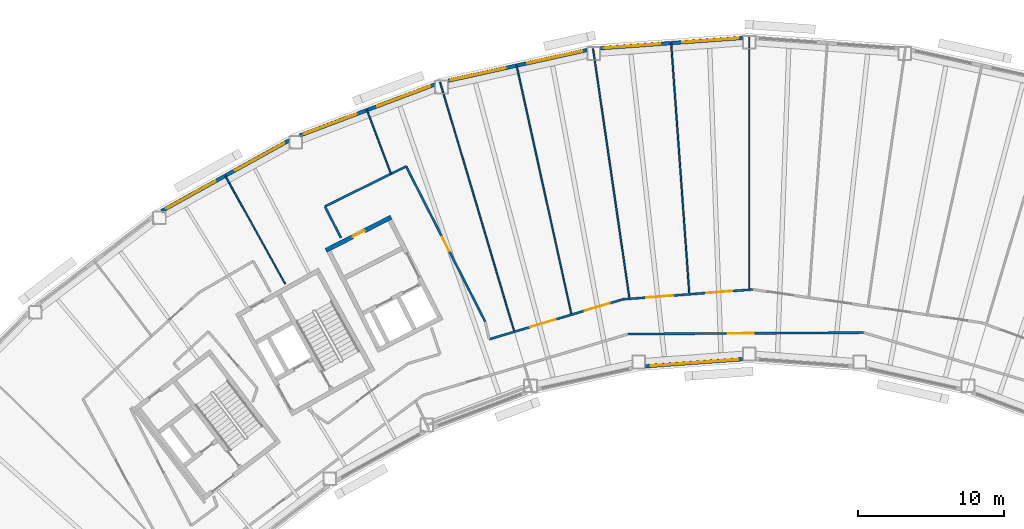
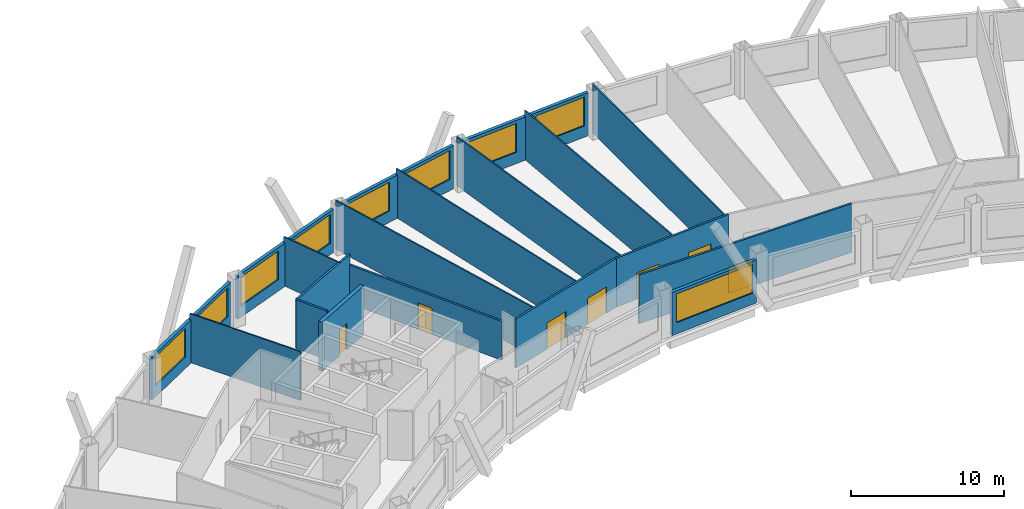
# One storey, part 7 of 13: 19 walls, 9 windows, 7 doors, 16 openings.
"""IFC4 building model written with IfcOpenShell, lengths in metres."""

import ifcopenshell
import ifcopenshell.guid

model = None  # the IFC model being written
_history = None  # IfcOwnerHistory: only IFC2X3 demands one
_inside = {}  # id of a spatial element -> (the spatial element, [elements in it])
_under = {}  # id of a project, library or spatial element -> (it, [spatial elements below it])
_declared = {}  # id of a project -> (the project, [libraries it declares])
_typed = {}  # id of a type object -> (the type object, [elements of that type])
_made_of = {}  # id of a material, layer set ... -> (it, [elements and type objects made of it])


def new_model(schema):
    """Start an empty IFC model of exactly this schema.

    Asked for "IFC4X3", IfcOpenShell would pick the latest addendum, in which some entities
    have other attributes; the version numbers below select the first issue.
    IFC2X3 requires an IfcOwnerHistory on every rooted entity: one is made here for all.
    """
    global model, _history
    if schema == "IFC4X3":
        model = ifcopenshell.file(schema_version=(4, 3, 0, 0))
    else:
        model = ifcopenshell.file(schema=schema)
    _inside.clear()
    _under.clear()
    _declared.clear()
    _typed.clear()
    _made_of.clear()
    _history = None
    if model.schema == "IFC2X3":
        org = make("IfcOrganization", Name="unknown")
        user = make(
            "IfcPersonAndOrganization",
            ThePerson=make("IfcPerson", FamilyName="unknown"),
            TheOrganization=org,
        )
        app = make(
            "IfcApplication",
            ApplicationDeveloper=org,
            Version="unknown",
            ApplicationFullName="unknown",
            ApplicationIdentifier="unknown",
        )
        _history = make(
            "IfcOwnerHistory",
            OwningUser=user,
            OwningApplication=app,
            ChangeAction="ADDED",
            CreationDate=0,
        )
    return model


def make(cls, **values):
    """One entity of the class cls with the attributes given. An attribute that is None is left unset."""
    return model.create_entity(
        cls, **{name: value for name, value in values.items() if value is not None}
    )


def rooted(cls, **values):
    """An entity with a GlobalId (a new one), such as an element, a storey or a relation."""
    return make(cls, GlobalId=ifcopenshell.guid.new(), OwnerHistory=_history, **values)


def si_unit(unit_type, name, prefix=None):
    """IfcSIUnit, for example si_unit("LENGTHUNIT", "METRE", prefix="MILLI")."""
    return make("IfcSIUnit", UnitType=unit_type, Prefix=prefix, Name=name)


def assignment(units):
    """IfcUnitAssignment: the units of a project."""
    return None if units is None else make("IfcUnitAssignment", Units=units)


def point(xyz):
    """IfcCartesianPoint."""
    return None if xyz is None else make("IfcCartesianPoint", Coordinates=xyz)


def direction(xyz):
    """IfcDirection."""
    return None if xyz is None else make("IfcDirection", DirectionRatios=xyz)


def frame(location, z_axis=None, x_axis=None):
    """IfcAxis2Placement3D, a coordinate frame: its origin and axes. An axis left out is left unset."""
    return make(
        "IfcAxis2Placement3D",
        Location=point(location),
        Axis=direction(z_axis),
        RefDirection=direction(x_axis),
    )


def frame_2d(location, x_axis=None):
    """IfcAxis2Placement2D, a coordinate frame in the plane: its origin and x axis."""
    return make(
        "IfcAxis2Placement2D", Location=point(location), RefDirection=direction(x_axis)
    )


def origin():
    """The frame at (0, 0, 0) with its axes left unset."""
    return frame((0.0, 0.0, 0.0))


def place(relative_to, where):
    """IfcLocalPlacement: puts the frame where relative to a parent placement (None: the world)."""
    return make(
        "IfcLocalPlacement", PlacementRelTo=relative_to, RelativePlacement=where
    )


def context(
    kind, dimensions, precision=None, world=None, true_north=None, identifier=None
):
    """IfcGeometricRepresentationContext, for example the 3D "Model" context."""
    return make(
        "IfcGeometricRepresentationContext",
        ContextIdentifier=identifier,
        ContextType=kind,
        CoordinateSpaceDimension=dimensions,
        Precision=precision,
        WorldCoordinateSystem=world,
        TrueNorth=true_north,
    )


def subcontext(parent, identifier, kind, view, scale=None):
    """IfcGeometricRepresentationSubContext, for example "Body" below "Model"."""
    return make(
        "IfcGeometricRepresentationSubContext",
        ContextIdentifier=identifier,
        ContextType=kind,
        ParentContext=parent,
        TargetScale=scale,
        TargetView=view,
    )


def project(units=None, contexts=None):
    """IfcProject with its units and contexts."""
    return rooted(
        "IfcProject",
        Name="project",
        RepresentationContexts=contexts,
        UnitsInContext=assignment(units),
    )


def spatial(cls, under=None, at=None, **own):
    """A site, building, storey or space (cls), placed at a placement, below another one or the project."""
    s = rooted(cls, ObjectPlacement=at, **own)
    if under is not None:
        _under.setdefault(under.id(), (under, []))[1].append(s)
    return s


def profile(cls, at=None, kind="AREA", **sizes):
    """A parametric profile (cls). Its sizes go by their IFC names, for example OverallWidth=200.0."""
    return make(cls, ProfileType=kind, Position=at, **sizes)


def rectangle(**sizes):
    """IfcRectangleProfileDef."""
    return profile("IfcRectangleProfileDef", **sizes)


def extrude(swept, where, along, depth):
    """IfcExtrudedAreaSolid: the profile swept, set in the frame where, extruded along a direction by depth."""
    return make(
        "IfcExtrudedAreaSolid",
        SweptArea=swept,
        Position=where,
        ExtrudedDirection=direction(along),
        Depth=depth,
    )


def shape(context_of_items, identifier, shape_type, items):
    """IfcShapeRepresentation: the items that make up one representation, for example the "Body"."""
    return make(
        "IfcShapeRepresentation",
        ContextOfItems=context_of_items,
        RepresentationIdentifier=identifier,
        RepresentationType=shape_type,
        Items=items,
    )


def material(Name=None, Category=None):
    """IfcMaterial."""
    return make("IfcMaterial", Name=Name, Category=Category)


def layer(
    of_material, thickness, ventilated=None, Name=None, Category=None, Priority=None
):
    """IfcMaterialLayer: one layer of a wall or slab, of a material (None: an air gap)."""
    return make(
        "IfcMaterialLayer",
        Material=of_material,
        LayerThickness=thickness,
        IsVentilated=ventilated,
        Name=Name,
        Category=Category,
        Priority=Priority,
    )


def layer_set(layers, Name=None):
    """IfcMaterialLayerSet."""
    return make("IfcMaterialLayerSet", MaterialLayers=layers, LayerSetName=Name)


def made_of(thing, what):
    """Note that an element or type object is made of a material, layer set ...; save() writes the relation."""
    if what is not None:
        _made_of.setdefault(what.id(), (what, []))[1].append(thing)
    return thing


def type_object(cls, material=None, **own):
    """A type object (cls), such as IfcWallType, which elements share."""
    return made_of(rooted(cls, **own), material)


def element(
    cls,
    number,
    at=None,
    inside=None,
    cuts=None,
    type_object=None,
    material=None,
    context=None,
    identifier="Body",
    shape_type=None,
    held_by="IfcProductDefinitionShape",
    body=None,
    shapes=None,
    **own,
):
    """One element of the class cls, such as IfcWall. Its Tag is "e" and its number.

    at: its placement. inside: the storey or other place that contains it. cuts: it is an
    opening in that element (IfcRelVoidsElement). A single representation is given by context,
    identifier, shape_type and body (its items); several are given by shapes. held_by: the class
    of the entity that holds the representations. save() writes the other relations.
    """
    e = rooted(cls, Tag="e%d" % number, ObjectPlacement=at, **own)
    if body is not None:
        shapes = [shape(context, identifier, shape_type, body)]
    if shapes is not None:
        e.Representation = make(held_by, Representations=shapes)
    if inside is not None:
        _inside.setdefault(inside.id(), (inside, []))[1].append(e)
    if cuts is not None:
        rooted(
            "IfcRelVoidsElement", RelatingBuildingElement=cuts, RelatedOpeningElement=e
        )
    if type_object is not None:
        _typed.setdefault(type_object.id(), (type_object, []))[1].append(e)
    return made_of(e, material)


def fill(opening, filler):
    """IfcRelFillsElement: the door or window that sits in an opening."""
    return rooted(
        "IfcRelFillsElement",
        RelatingOpeningElement=opening,
        RelatedBuildingElement=filler,
    )


def aggregate(whole, parts):
    """IfcRelAggregates: a whole, such as a stair, and the parts it consists of."""
    return rooted("IfcRelAggregates", RelatingObject=whole, RelatedObjects=parts)


def save(model, path):
    """Write the relations noted so far, then the file.

    IfcRelAggregates (storeys below a building ...), IfcRelContainedInSpatialStructure (elements
    in a storey), IfcRelDefinesByType, IfcRelAssociatesMaterial and IfcRelDeclares: one each for
    every whole, place, type object, material and project.
    """
    for whole, parts in _under.values():
        aggregate(whole, parts)
    for where, things in _inside.values():
        rooted(
            "IfcRelContainedInSpatialStructure",
            RelatedElements=things,
            RelatingStructure=where,
        )
    for kind, things in _typed.values():
        rooted("IfcRelDefinesByType", RelatedObjects=things, RelatingType=kind)
    for what, things in _made_of.values():
        rooted("IfcRelAssociatesMaterial", RelatedObjects=things, RelatingMaterial=what)
    for by, libraries in _declared.values():
        rooted("IfcRelDeclares", RelatingContext=by, RelatedDefinitions=libraries)
    model.write(path)


model = new_model("IFC4")

# Units and contexts
model_context = context("Model", 3, precision=1e-05, world=origin(), true_north=direction((0.0, 1.0)))
body_context = subcontext(model_context, "Body", "Model", "MODEL_VIEW")
ifc_project = project(units=[si_unit("LENGTHUNIT", "METRE"), si_unit("AREAUNIT", "SQUARE_METRE"), si_unit("VOLUMEUNIT", "CUBIC_METRE"), si_unit("PLANEANGLEUNIT", "RADIAN"), si_unit("MASSUNIT", "GRAM", prefix="KILO")], contexts=[model_context])

# Site, building, storey
site_placement = place(None, origin())
site = spatial("IfcSite", under=ifc_project, at=site_placement, CompositionType="ELEMENT")
building_placement = place(site_placement, origin())
building = spatial("IfcBuilding", under=site, at=building_placement, Name="Tuul Gate Civic Tower", CompositionType="ELEMENT")
storey_placement = place(building_placement, frame((0.0, 0.0, 188.89990234375)))
storey = spatial("IfcBuildingStorey", under=building, at=storey_placement, Name="Level 43", CompositionType="ELEMENT", Elevation=188.89990234375)

# Wall, openings, doors
ifc_material_1 = material(Name="Gypsum board partition")
ifc_layer_1 = layer(ifc_material_1, 0.14990234375)
ifc_layer_set_1 = layer_set([ifc_layer_1], Name="Gypsum board partition")
wall_type_1 = type_object("IfcWallType", Name="Corridor wall P150", PredefinedType="PARTITIONING", material=ifc_layer_set_1)
wall_1_placement = place(storey_placement, frame((-7.660888671875, -3.9951171875, 0.0), z_axis=(0.0, 0.0, 1.0), x_axis=(0.997138593057, 0.075595146913, 0.0)))
wall_1 = element("IfcWall", 1, at=wall_1_placement, inside=storey, type_object=wall_type_1, Name="p034", PredefinedType="PARTITIONING", context=body_context, shape_type="SweptSolid", body=[
    extrude(rectangle(XDim=8.9169921875, YDim=0.14990234375, at=frame_2d((4.45849609375, 0.0))), origin(), (0.0, 0.0, 1.0), 3.900146484375),
])
opening_1_placement = place(wall_1_placement, frame((5.71875, 0.0, 0.0)))
opening_1 = element("IfcOpeningElement", 2, at=opening_1_placement, cuts=wall_1, Name="Opening O-D10", PredefinedType="OPENING", context=body_context, shape_type="SweptSolid", body=[
    extrude(rectangle(XDim=1.800048828125, YDim=2.10009765625, at=frame_2d((0.89990234375, 1.050048828125))), frame((0.0, 0.0849609375, 0.0), z_axis=(0.0, -1.0, 0.0), x_axis=(1.0, 0.0, 0.0)), (0.0, 0.0, 1.0), 0.169921875),
])
opening_2_placement = place(wall_1_placement, frame((1.60595703125, 0.0, 0.0)))
opening_2 = element("IfcOpeningElement", 3, at=opening_2_placement, cuts=wall_1, Name="Opening O-D11", PredefinedType="OPENING", context=body_context, shape_type="SweptSolid", body=[
    extrude(rectangle(XDim=1.800048828125, YDim=2.10009765625, at=frame_2d((0.89990234375, 1.050048828125))), frame((0.0, 0.0849609375, 0.0), z_axis=(0.0, -1.0, 0.0), x_axis=(1.0, 0.0, 0.0)), (0.0, 0.0, 1.0), 0.169921875),
])
ifc_material_2 = material(Name="Timber door leaf, double", Category="wood")
door_type_1 = type_object("IfcDoorType", Name="Door D18", OperationType="DOUBLE_DOOR_SINGLE_SWING", PredefinedType="DOOR", material=ifc_material_2)
door_1_placement = place(opening_1_placement, origin())
door_1 = element("IfcDoor", 4, at=door_1_placement, inside=storey, type_object=door_type_1, Name="Door O-D10", OperationType="DOUBLE_DOOR_SINGLE_SWING", OverallHeight=2.10009765625, OverallWidth=1.800048828125, PredefinedType="DOOR", context=body_context, shape_type="SweptSolid", body=[
    extrude(rectangle(XDim=1.800048828125, YDim=2.10009765625, at=frame_2d((0.89990234375, 1.050048828125))), frame((0.0, 0.02490234375, 0.0), z_axis=(0.0, -1.0, 0.0), x_axis=(1.0, 0.0, 0.0)), (0.0, 0.0, 1.0), 0.050048828125),
])
fill(opening_1, door_1)
door_2_placement = place(opening_2_placement, origin())
door_2 = element("IfcDoor", 5, at=door_2_placement, inside=storey, type_object=door_type_1, Name="Door O-D11", OperationType="DOUBLE_DOOR_SINGLE_SWING", OverallHeight=2.10009765625, OverallWidth=1.800048828125, PredefinedType="DOOR", context=body_context, shape_type="SweptSolid", body=[
    extrude(rectangle(XDim=1.800048828125, YDim=2.10009765625, at=frame_2d((0.89990234375, 1.050048828125))), frame((0.0, 0.02490234375, 0.0), z_axis=(0.0, -1.0, 0.0), x_axis=(1.0, 0.0, 0.0)), (0.0, 0.0, 1.0), 0.050048828125),
])
fill(opening_2, door_2)

wall_2_placement = place(storey_placement, frame((-16.8076171875, -6.728515625, 0.0), z_axis=(0.0, 0.0, 1.0), x_axis=(0.958123538427, 0.286355173013, 0.0)))
wall_2 = element("IfcWall", 6, at=wall_2_placement, inside=storey, type_object=wall_type_1, Name="p039", PredefinedType="PARTITIONING", context=body_context, shape_type="SweptSolid", body=[
    extrude(rectangle(XDim=9.54541015625, YDim=0.14990234375, at=frame_2d((4.772705078125, 0.0))), origin(), (0.0, 0.0, 1.0), 3.900146484375),
])
opening_3_placement = place(wall_2_placement, frame((6.807861328125, 0.0, 0.0)))
opening_3 = element("IfcOpeningElement", 7, at=opening_3_placement, cuts=wall_2, Name="Opening O-D12", PredefinedType="OPENING", context=body_context, shape_type="SweptSolid", body=[
    extrude(rectangle(XDim=1.800048828125, YDim=2.10009765625, at=frame_2d((0.89990234375, 1.050048828125))), frame((0.0, 0.0849609375, 0.0), z_axis=(0.0, -1.0, 0.0), x_axis=(1.0, 0.0, 0.0)), (0.0, 0.0, 1.0), 0.169921875),
])
opening_4_placement = place(wall_2_placement, frame((2.92724609375, 0.0, 0.0)))
opening_4 = element("IfcOpeningElement", 8, at=opening_4_placement, cuts=wall_2, Name="Opening O-D13", PredefinedType="OPENING", context=body_context, shape_type="SweptSolid", body=[
    extrude(rectangle(XDim=1.800048828125, YDim=2.10009765625, at=frame_2d((0.89990234375, 1.050048828125))), frame((0.0, 0.0849609375, 0.0), z_axis=(0.0, -1.0, 0.0), x_axis=(1.0, 0.0, 0.0)), (0.0, 0.0, 1.0), 0.169921875),
])
door_3_placement = place(opening_3_placement, origin())
door_3 = element("IfcDoor", 9, at=door_3_placement, inside=storey, type_object=door_type_1, Name="Door O-D12", OperationType="DOUBLE_DOOR_SINGLE_SWING", OverallHeight=2.10009765625, OverallWidth=1.800048828125, PredefinedType="DOOR", context=body_context, shape_type="SweptSolid", body=[
    extrude(rectangle(XDim=1.800048828125, YDim=2.10009765625, at=frame_2d((0.89990234375, 1.050048828125))), frame((0.0, 0.02490234375, 0.0), z_axis=(0.0, -1.0, 0.0), x_axis=(1.0, 0.0, 0.0)), (0.0, 0.0, 1.0), 0.050048828125),
])
fill(opening_3, door_3)
door_4_placement = place(opening_4_placement, origin())
door_4 = element("IfcDoor", 10, at=door_4_placement, inside=storey, type_object=door_type_1, Name="Door O-D13", OperationType="DOUBLE_DOOR_SINGLE_SWING", OverallHeight=2.10009765625, OverallWidth=1.800048828125, PredefinedType="DOOR", context=body_context, shape_type="SweptSolid", body=[
    extrude(rectangle(XDim=1.800048828125, YDim=2.10009765625, at=frame_2d((0.89990234375, 1.050048828125))), frame((0.0, 0.02490234375, 0.0), z_axis=(0.0, -1.0, 0.0), x_axis=(1.0, 0.0, 0.0)), (0.0, 0.0, 1.0), 0.050048828125),
])
fill(opening_4, door_4)

# Walls
wall_3_placement = place(storey_placement, frame((-28.07470703125, 2.368408203125, 0.0), z_axis=(0.0, 0.0, 1.0), x_axis=(0.896894192513, 0.442245189275, 0.0)))
element("IfcWall", 11, at=wall_3_placement, inside=storey, type_object=wall_type_1, Name="p045", PredefinedType="PARTITIONING", context=body_context, shape_type="SweptSolid", body=[
    extrude(rectangle(XDim=6.199951171875, YDim=0.14990234375, at=frame_2d((3.10009765625, 0.0))), origin(), (0.0, 0.0, 1.0), 3.900146484375),
])
wall_4_placement = place(storey_placement, frame((-28.07470703125, 2.368408203125, 0.0), z_axis=(0.0, 0.0, 1.0), x_axis=(0.454233054818, -0.890882894611, 0.0)))
element("IfcWall", 12, at=wall_4_placement, inside=storey, type_object=wall_type_1, Name="p047", PredefinedType="PARTITIONING", context=body_context, shape_type="SweptSolid", body=[
    extrude(rectangle(XDim=2.416015625, YDim=0.14990234375, at=frame_2d((1.2080078125, 0.0))), origin(), (0.0, 0.0, 1.0), 3.900146484375),
])

# Wall, opening, door
wall_5_placement = place(storey_placement, frame((-7.30419921875, -6.375, 0.0), z_axis=(0.0, 0.0, 1.0), x_axis=(0.999981363616, 0.006105114296, 0.0)))
wall_5 = element("IfcWall", 13, at=wall_5_placement, inside=storey, type_object=wall_type_1, Name="p063", PredefinedType="PARTITIONING", context=body_context, shape_type="SweptSolid", body=[
    extrude(rectangle(XDim=16.11572265625, YDim=0.14990234375, at=frame_2d((8.057861328125, 0.0))), origin(), (0.0, 0.0, 1.0), 3.900146484375),
])
opening_5_placement = place(wall_5_placement, frame((6.80810546875, 0.0, 0.0)))
opening_5 = element("IfcOpeningElement", 14, at=opening_5_placement, cuts=wall_5, Name="Opening O-D19", PredefinedType="OPENING", context=body_context, shape_type="SweptSolid", body=[
    extrude(rectangle(XDim=1.800048828125, YDim=2.10009765625, at=frame_2d((0.89990234375, 1.050048828125))), frame((0.0, 0.0849609375, 0.0), z_axis=(0.0, -1.0, 0.0), x_axis=(1.0, 0.0, 0.0)), (0.0, 0.0, 1.0), 0.169921875),
])
door_5_placement = place(opening_5_placement, frame((1.800048828125, 0.0, 0.0), z_axis=(0.0, 0.0, 1.0), x_axis=(-1.0, 0.0, 0.0)))
door_5 = element("IfcDoor", 15, at=door_5_placement, inside=storey, type_object=door_type_1, Name="Door O-D19", OperationType="DOUBLE_DOOR_SINGLE_SWING", OverallHeight=2.10009765625, OverallWidth=1.800048828125, PredefinedType="DOOR", context=body_context, shape_type="SweptSolid", body=[
    extrude(rectangle(XDim=1.800048828125, YDim=2.10009765625, at=frame_2d((0.900146484375, 1.050048828125))), frame((0.0, 0.02490234375, 0.0), z_axis=(0.0, -1.0, 0.0), x_axis=(1.0, 0.0, 0.0)), (0.0, 0.0, 1.0), 0.050048828125),
])
fill(opening_5, door_5)

ifc_material_3 = material(Name="Gypsum board partition")
ifc_layer_2 = layer(ifc_material_3, 0.14990234375)
ifc_layer_set_2 = layer_set([ifc_layer_2], Name="Gypsum board partition")
wall_type_2 = type_object("IfcWallType", Name="Corridor wall P150 3100 HIGH", PredefinedType="PARTITIONING", material=ifc_layer_set_2)
wall_6_placement = place(storey_placement, frame((-22.51318359375, 5.110107421875, 0.0), z_axis=(0.0, 0.0, 1.0), x_axis=(0.454006967755, -0.890998133124, 0.0)))
wall_6 = element("IfcWall", 16, at=wall_6_placement, inside=storey, type_object=wall_type_2, Name="p044", PredefinedType="PARTITIONING", context=body_context, shape_type="SweptSolid", body=[
    extrude(rectangle(XDim=11.9375, YDim=0.14990234375, at=frame_2d((5.96875, 0.0))), origin(), (0.0, 0.0, 1.0), 3.10009765625),
])
opening_6_placement = place(wall_6_placement, frame((5.418701171875, 0.0, 0.0)))
opening_6 = element("IfcOpeningElement", 17, at=opening_6_placement, cuts=wall_6, Name="Opening O-D14", PredefinedType="OPENING", context=body_context, shape_type="SweptSolid", body=[
    extrude(rectangle(XDim=1.10009765625, YDim=2.10009765625, at=frame_2d((0.550048828125, 1.050048828125))), frame((0.0, 0.0849609375, 0.0), z_axis=(0.0, -1.0, 0.0), x_axis=(1.0, 0.0, 0.0)), (0.0, 0.0, 1.0), 0.169921875),
])
ifc_material_4 = material(Name="Timber door leaf", Category="wood")
door_type_2 = type_object("IfcDoorType", Name="Door D11", OperationType="NOTDEFINED", PredefinedType="DOOR", material=ifc_material_4)
door_6_placement = place(opening_6_placement, origin())
door_6 = element("IfcDoor", 18, at=door_6_placement, inside=storey, type_object=door_type_2, Name="Door O-D14", OperationType="SINGLE_SWING_RIGHT", OverallHeight=2.10009765625, OverallWidth=1.10009765625, PredefinedType="DOOR", context=body_context, shape_type="SweptSolid", body=[
    extrude(rectangle(XDim=1.10009765625, YDim=2.10009765625, at=frame_2d((0.550048828125, 1.050048828125))), frame((0.0, 0.02490234375, 0.0), z_axis=(0.0, -1.0, 0.0), x_axis=(1.0, 0.0, 0.0)), (0.0, 0.0, 1.0), 0.050048828125),
])
fill(opening_6, door_6)

# Wall, openings, windows
ifc_material_5 = material(Name="Precast concrete C40/50", Category="concrete")
ifc_layer_3 = layer(ifc_material_5, 0.25)
ifc_layer_set_3 = layer_set([ifc_layer_3], Name="Precast concrete C40/50")
wall_type_3 = type_object("IfcWallType", Name="External wall", PredefinedType="STANDARD", material=ifc_layer_set_3)
wall_7_placement = place(storey_placement, frame((0.5400390625, 13.9091796875, 0.0), z_axis=(0.0, 0.0, 1.0), x_axis=(-0.997386439479, -0.072251576758, 0.0)))
wall_7 = element("IfcWall", 19, at=wall_7_placement, inside=storey, type_object=wall_type_3, Name="External wall", PredefinedType="STANDARD", context=body_context, shape_type="SweptSolid", body=[
    extrude(rectangle(XDim=9.775634765625, YDim=0.25, at=frame_2d((4.8876953125, 0.0))), origin(), (0.0, 0.0, 1.0), 3.4501953125),
])
opening_7_placement = place(wall_7_placement, frame((0.300537109375, 0.0, 0.89990234375)))
opening_7 = element("IfcOpeningElement", 20, at=opening_7_placement, cuts=wall_7, Name="Opening W22", PredefinedType="OPENING", context=body_context, shape_type="SweptSolid", body=[
    extrude(rectangle(XDim=3.85009765625, YDim=2.300048828125, at=frame_2d((1.925048828125, 1.14990234375))), frame((0.0, 0.135009765625, 0.0), z_axis=(0.0, -1.0, 0.0), x_axis=(1.0, 0.0, 0.0)), (0.0, 0.0, 1.0), 0.27001953125),
])
opening_8_placement = place(wall_7_placement, frame((5.672119140625, 0.0, 0.89990234375)))
opening_8 = element("IfcOpeningElement", 21, at=opening_8_placement, cuts=wall_7, Name="Opening W22", PredefinedType="OPENING", context=body_context, shape_type="SweptSolid", body=[
    extrude(rectangle(XDim=3.85009765625, YDim=2.300048828125, at=frame_2d((1.925048828125, 1.14990234375))), frame((0.0, 0.135009765625, 0.0), z_axis=(0.0, -1.0, 0.0), x_axis=(1.0, 0.0, 0.0)), (0.0, 0.0, 1.0), 0.27001953125),
])
ifc_material_6 = material(Name="Glass", Category="glass")
window_type_1 = type_object("IfcWindowType", Name="Window W22 3850 x 2300", PartitioningType="SINGLE_PANEL", PredefinedType="WINDOW", material=ifc_material_6)
window_1_placement = place(opening_7_placement, origin())
window_1 = element("IfcWindow", 22, at=window_1_placement, inside=storey, type_object=window_type_1, Name="Window", OverallHeight=2.300048828125, OverallWidth=3.85009765625, PartitioningType="SINGLE_PANEL", PredefinedType="WINDOW", context=body_context, shape_type="SweptSolid", body=[
    extrude(rectangle(XDim=3.85009765625, YDim=2.300048828125, at=frame_2d((1.925048828125, 1.14990234375))), frame((0.0, 0.030029296875, 0.0), z_axis=(0.0, -1.0, 0.0), x_axis=(1.0, 0.0, 0.0)), (0.0, 0.0, 1.0), 0.06005859375),
])
fill(opening_7, window_1)
window_2_placement = place(opening_8_placement, origin())
window_2 = element("IfcWindow", 23, at=window_2_placement, inside=storey, type_object=window_type_1, Name="Window", OverallHeight=2.300048828125, OverallWidth=3.85009765625, PartitioningType="SINGLE_PANEL", PredefinedType="WINDOW", context=body_context, shape_type="SweptSolid", body=[
    extrude(rectangle(XDim=3.85009765625, YDim=2.300048828125, at=frame_2d((1.925048828125, 1.14990234375))), frame((0.0, 0.030029296875, 0.0), z_axis=(0.0, -1.0, 0.0), x_axis=(1.0, 0.0, 0.0)), (0.0, 0.0, 1.0), 0.06005859375),
])
fill(opening_8, window_2)

wall_8_placement = place(storey_placement, frame((-10.110107421875, 13.078125, 0.0), z_axis=(0.0, 0.0, 1.0), x_axis=(-0.976559525993, -0.215247513789, 0.0)))
wall_8 = element("IfcWall", 24, at=wall_8_placement, inside=storey, type_object=wall_type_3, Name="External wall", PredefinedType="STANDARD", context=body_context, shape_type="SweptSolid", body=[
    extrude(rectangle(XDim=9.755615234375, YDim=0.25, at=frame_2d((4.8779296875, 0.0))), origin(), (0.0, 0.0, 1.0), 3.4501953125),
])
opening_9_placement = place(wall_8_placement, frame((0.338623046875, 0.0, 0.89990234375)))
opening_9 = element("IfcOpeningElement", 25, at=opening_9_placement, cuts=wall_8, Name="Opening W22", PredefinedType="OPENING", context=body_context, shape_type="SweptSolid", body=[
    extrude(rectangle(XDim=3.85009765625, YDim=2.300048828125, at=frame_2d((1.925048828125, 1.14990234375))), frame((0.0, 0.135009765625, 0.0), z_axis=(0.0, -1.0, 0.0), x_axis=(1.0, 0.0, 0.0)), (0.0, 0.0, 1.0), 0.27001953125),
])
opening_10_placement = place(wall_8_placement, frame((5.70947265625, 0.0, 0.89990234375)))
opening_10 = element("IfcOpeningElement", 26, at=opening_10_placement, cuts=wall_8, Name="Opening W22", PredefinedType="OPENING", context=body_context, shape_type="SweptSolid", body=[
    extrude(rectangle(XDim=3.85009765625, YDim=2.300048828125, at=frame_2d((1.925048828125, 1.14990234375))), frame((0.0, 0.135009765625, 0.0), z_axis=(0.0, -1.0, 0.0), x_axis=(1.0, 0.0, 0.0)), (0.0, 0.0, 1.0), 0.27001953125),
])
window_3_placement = place(opening_9_placement, origin())
window_3 = element("IfcWindow", 27, at=window_3_placement, inside=storey, type_object=window_type_1, Name="Window", OverallHeight=2.300048828125, OverallWidth=3.85009765625, PartitioningType="SINGLE_PANEL", PredefinedType="WINDOW", context=body_context, shape_type="SweptSolid", body=[
    extrude(rectangle(XDim=3.85009765625, YDim=2.300048828125, at=frame_2d((1.925048828125, 1.14990234375))), frame((0.0, 0.030029296875, 0.0), z_axis=(0.0, -1.0, 0.0), x_axis=(1.0, 0.0, 0.0)), (0.0, 0.0, 1.0), 0.06005859375),
])
fill(opening_9, window_3)
window_4_placement = place(opening_10_placement, origin())
window_4 = element("IfcWindow", 28, at=window_4_placement, inside=storey, type_object=window_type_1, Name="Window", OverallHeight=2.300048828125, OverallWidth=3.85009765625, PartitioningType="SINGLE_PANEL", PredefinedType="WINDOW", context=body_context, shape_type="SweptSolid", body=[
    extrude(rectangle(XDim=3.85009765625, YDim=2.300048828125, at=frame_2d((1.925048828125, 1.14990234375))), frame((0.0, 0.030029296875, 0.0), z_axis=(0.0, -1.0, 0.0), x_axis=(1.0, 0.0, 0.0)), (0.0, 0.0, 1.0), 0.06005859375),
])
fill(opening_10, window_4)

wall_9_placement = place(storey_placement, frame((-20.537109375, 10.7236328125, 0.0), z_axis=(0.0, 0.0, 1.0), x_axis=(-0.935342915264, -0.353742322694, 0.0)))
wall_9 = element("IfcWall", 29, at=wall_9_placement, inside=storey, type_object=wall_type_3, Name="External wall", PredefinedType="STANDARD", context=body_context, shape_type="SweptSolid", body=[
    extrude(rectangle(XDim=9.904541015625, YDim=0.25, at=frame_2d((4.9521484375, 0.0))), origin(), (0.0, 0.0, 1.0), 3.4501953125),
])
opening_11_placement = place(wall_9_placement, frame((0.369140625, 0.0, 0.89990234375)))
opening_11 = element("IfcOpeningElement", 30, at=opening_11_placement, cuts=wall_9, Name="Opening W22", PredefinedType="OPENING", context=body_context, shape_type="SweptSolid", body=[
    extrude(rectangle(XDim=3.85009765625, YDim=2.300048828125, at=frame_2d((1.925048828125, 1.14990234375))), frame((0.0, 0.135009765625, 0.0), z_axis=(0.0, -1.0, 0.0), x_axis=(1.0, 0.0, 0.0)), (0.0, 0.0, 1.0), 0.27001953125),
])
opening_12_placement = place(wall_9_placement, frame((5.740478515625, 0.0, 0.89990234375)))
opening_12 = element("IfcOpeningElement", 31, at=opening_12_placement, cuts=wall_9, Name="Opening W22", PredefinedType="OPENING", context=body_context, shape_type="SweptSolid", body=[
    extrude(rectangle(XDim=3.85009765625, YDim=2.300048828125, at=frame_2d((1.925048828125, 1.14990234375))), frame((0.0, 0.135009765625, 0.0), z_axis=(0.0, -1.0, 0.0), x_axis=(1.0, 0.0, 0.0)), (0.0, 0.0, 1.0), 0.27001953125),
])
window_5_placement = place(opening_11_placement, origin())
window_5 = element("IfcWindow", 32, at=window_5_placement, inside=storey, type_object=window_type_1, Name="Window", OverallHeight=2.300048828125, OverallWidth=3.85009765625, PartitioningType="SINGLE_PANEL", PredefinedType="WINDOW", context=body_context, shape_type="SweptSolid", body=[
    extrude(rectangle(XDim=3.85009765625, YDim=2.300048828125, at=frame_2d((1.925048828125, 1.14990234375))), frame((0.0, 0.030029296875, 0.0), z_axis=(0.0, -1.0, 0.0), x_axis=(1.0, 0.0, 0.0)), (0.0, 0.0, 1.0), 0.06005859375),
])
fill(opening_11, window_5)
window_6_placement = place(opening_12_placement, origin())
window_6 = element("IfcWindow", 33, at=window_6_placement, inside=storey, type_object=window_type_1, Name="Window", OverallHeight=2.300048828125, OverallWidth=3.85009765625, PartitioningType="SINGLE_PANEL", PredefinedType="WINDOW", context=body_context, shape_type="SweptSolid", body=[
    extrude(rectangle(XDim=3.85009765625, YDim=2.300048828125, at=frame_2d((1.925048828125, 1.14990234375))), frame((0.0, 0.030029296875, 0.0), z_axis=(0.0, -1.0, 0.0), x_axis=(1.0, 0.0, 0.0)), (0.0, 0.0, 1.0), 0.06005859375),
])
fill(opening_12, window_6)

wall_10_placement = place(storey_placement, frame((-30.52392578125, 6.891357421875, 0.0), z_axis=(0.0, 0.0, 1.0), x_axis=(-0.874633566806, -0.484784615903, 0.0)))
wall_10 = element("IfcWall", 34, at=wall_10_placement, inside=storey, type_object=wall_type_3, Name="External wall", PredefinedType="STANDARD", context=body_context, shape_type="SweptSolid", body=[
    extrude(rectangle(XDim=10.001220703125, YDim=0.25, at=frame_2d((5.00048828125, 0.0))), origin(), (0.0, 0.0, 1.0), 3.4501953125),
])
opening_13_placement = place(wall_10_placement, frame((0.39306640625, 0.0, 0.89990234375)))
opening_13 = element("IfcOpeningElement", 35, at=opening_13_placement, cuts=wall_10, Name="Opening W22", PredefinedType="OPENING", context=body_context, shape_type="SweptSolid", body=[
    extrude(rectangle(XDim=3.85009765625, YDim=2.300048828125, at=frame_2d((1.925048828125, 1.14990234375))), frame((0.0, 0.135009765625, 0.0), z_axis=(0.0, -1.0, 0.0), x_axis=(1.0, 0.0, 0.0)), (0.0, 0.0, 1.0), 0.27001953125),
])
opening_14_placement = place(wall_10_placement, frame((5.764404296875, 0.0, 0.89990234375)))
opening_14 = element("IfcOpeningElement", 36, at=opening_14_placement, cuts=wall_10, Name="Opening W22", PredefinedType="OPENING", context=body_context, shape_type="SweptSolid", body=[
    extrude(rectangle(XDim=3.85009765625, YDim=2.300048828125, at=frame_2d((1.925048828125, 1.14990234375))), frame((0.0, 0.135009765625, 0.0), z_axis=(0.0, -1.0, 0.0), x_axis=(1.0, 0.0, 0.0)), (0.0, 0.0, 1.0), 0.27001953125),
])
window_7_placement = place(opening_13_placement, origin())
window_7 = element("IfcWindow", 37, at=window_7_placement, inside=storey, type_object=window_type_1, Name="Window", OverallHeight=2.300048828125, OverallWidth=3.85009765625, PartitioningType="SINGLE_PANEL", PredefinedType="WINDOW", context=body_context, shape_type="SweptSolid", body=[
    extrude(rectangle(XDim=3.85009765625, YDim=2.300048828125, at=frame_2d((1.925048828125, 1.14990234375))), frame((0.0, 0.030029296875, 0.0), z_axis=(0.0, -1.0, 0.0), x_axis=(1.0, 0.0, 0.0)), (0.0, 0.0, 1.0), 0.06005859375),
])
fill(opening_13, window_7)
window_8_placement = place(opening_14_placement, origin())
window_8 = element("IfcWindow", 38, at=window_8_placement, inside=storey, type_object=window_type_1, Name="Window", OverallHeight=2.300048828125, OverallWidth=3.85009765625, PartitioningType="SINGLE_PANEL", PredefinedType="WINDOW", context=body_context, shape_type="SweptSolid", body=[
    extrude(rectangle(XDim=3.85009765625, YDim=2.300048828125, at=frame_2d((1.925048828125, 1.14990234375))), frame((0.0, 0.030029296875, 0.0), z_axis=(0.0, -1.0, 0.0), x_axis=(1.0, 0.0, 0.0)), (0.0, 0.0, 1.0), 0.06005859375),
])
fill(opening_14, window_8)

# Wall, opening, window
wall_11_placement = place(storey_placement, frame((-6.132080078125, -8.581787109375, 0.0), z_axis=(0.0, 0.0, 1.0), x_axis=(0.99738574908, 0.072261106633, 0.0)))
wall_11 = element("IfcWall", 39, at=wall_11_placement, inside=storey, type_object=wall_type_3, Name="External wall", PredefinedType="STANDARD", context=body_context, shape_type="SweptSolid", body=[
    extrude(rectangle(XDim=6.689697265625, YDim=0.25, at=frame_2d((3.3447265625, 0.0))), origin(), (0.0, 0.0, 1.0), 3.4501953125),
])
opening_15_placement = place(wall_11_placement, frame((0.3681640625, 0.0, 0.89990234375)))
opening_15 = element("IfcOpeningElement", 40, at=opening_15_placement, cuts=wall_11, Name="Opening W26", PredefinedType="OPENING", context=body_context, shape_type="SweptSolid", body=[
    extrude(rectangle(XDim=6.0, YDim=2.300048828125, at=frame_2d((3.0, 1.14990234375))), frame((0.0, 0.135009765625, 0.0), z_axis=(0.0, -1.0, 0.0), x_axis=(1.0, 0.0, 0.0)), (0.0, 0.0, 1.0), 0.27001953125),
])
ifc_material_7 = material(Name="Glass", Category="glass")
window_type_2 = type_object("IfcWindowType", Name="Window W26 6000 x 2300", PartitioningType="SINGLE_PANEL", PredefinedType="WINDOW", material=ifc_material_7)
window_9_placement = place(opening_15_placement, origin())
window_9 = element("IfcWindow", 41, at=window_9_placement, inside=storey, type_object=window_type_2, Name="Window", OverallHeight=2.300048828125, OverallWidth=6.0, PartitioningType="SINGLE_PANEL", PredefinedType="WINDOW", context=body_context, shape_type="SweptSolid", body=[
    extrude(rectangle(XDim=6.0, YDim=2.300048828125, at=frame_2d((3.0, 1.14990234375))), frame((0.0, 0.030029296875, 0.0), z_axis=(0.0, -1.0, 0.0), x_axis=(1.0, 0.0, 0.0)), (0.0, 0.0, 1.0), 0.06005859375),
])
fill(opening_15, window_9)

# Wall, opening, door
ifc_material_8 = material(Name="Concrete C40/50", Category="concrete")
ifc_layer_4 = layer(ifc_material_8, 0.300048828125)
ifc_layer_set_4 = layer_set([ifc_layer_4], Name="Concrete C40/50")
wall_type_4 = type_object("IfcWallType", Name="Lift shaft wall C40/50", PredefinedType="STANDARD", material=ifc_layer_set_4)
wall_12_placement = place(storey_placement, frame((-23.544921875, 1.62841796875, 0.0), z_axis=(0.0, 0.0, 1.0), x_axis=(-0.891002976909, -0.453997461601, 0.0)))
wall_12 = element("IfcWall", 42, at=wall_12_placement, inside=storey, type_object=wall_type_4, Name="Shaft wall", PredefinedType="STANDARD", context=body_context, shape_type="SweptSolid", body=[
    extrude(rectangle(XDim=5.0, YDim=0.300048828125, at=frame_2d((2.5, 0.0))), origin(), (0.0, 0.0, 1.0), 3.900146484375),
])
opening_16_placement = place(wall_12_placement, frame((2.050048828125, 0.0, 0.0)))
opening_16 = element("IfcOpeningElement", 43, at=opening_16_placement, cuts=wall_12, Name="Opening O-D31", PredefinedType="OPENING", context=body_context, shape_type="SweptSolid", body=[
    extrude(rectangle(XDim=0.89990234375, YDim=2.10009765625, at=frame_2d((0.449951171875, 1.050048828125))), frame((0.0, 0.16015625, 0.0), z_axis=(0.0, -1.0, 0.0), x_axis=(1.0, 0.0, 0.0)), (0.0, 0.0, 1.0), 0.320068359375),
])
ifc_material_9 = material(Name="Timber door leaf", Category="wood")
door_type_3 = type_object("IfcDoorType", Name="Door D09", OperationType="NOTDEFINED", PredefinedType="DOOR", material=ifc_material_9)
door_7_placement = place(opening_16_placement, origin())
door_7 = element("IfcDoor", 44, at=door_7_placement, inside=storey, type_object=door_type_3, Name="Door O-D31", OperationType="SINGLE_SWING_LEFT", OverallHeight=2.10009765625, OverallWidth=0.89990234375, PredefinedType="DOOR", context=body_context, shape_type="SweptSolid", body=[
    extrude(rectangle(XDim=0.89990234375, YDim=2.10009765625, at=frame_2d((0.449951171875, 1.050048828125))), frame((0.0, 0.02490234375, 0.0), z_axis=(0.0, -1.0, 0.0), x_axis=(1.0, 0.0, 0.0)), (0.0, 0.0, 1.0), 0.050048828125),
])
fill(opening_16, door_7)

# Walls
ifc_material_10 = material(Name="Gypsum board partition")
ifc_layer_5 = layer(ifc_material_10, 0.10009765625)
ifc_layer_set_5 = layer_set([ifc_layer_5], Name="Gypsum board partition")
wall_type_5 = type_object("IfcWallType", Name="Partition P100", PredefinedType="PARTITIONING", material=ifc_layer_set_5)
wall_13_placement = place(storey_placement, frame((0.989990234375, -3.33935546875, 0.0), z_axis=(0.0, 0.0, 1.0), x_axis=(0.0, 1.0, 0.0)))
element("IfcWall", 45, at=wall_13_placement, inside=storey, type_object=wall_type_5, Name="p033", PredefinedType="PARTITIONING", context=body_context, shape_type="SweptSolid", body=[
    extrude(rectangle(XDim=17.2861328125, YDim=0.10009765625, at=frame_2d((8.64306640625, 0.0))), origin(), (0.0, 0.0, 1.0), 3.900146484375),
])
wall_14_placement = place(storey_placement, frame((-4.358642578125, 13.559326171875, 0.0), z_axis=(0.0, 0.0, 1.0), x_axis=(0.072232442173, -0.997387825421, 0.0)))
element("IfcWall", 46, at=wall_14_placement, inside=storey, type_object=wall_type_5, Name="p035", PredefinedType="PARTITIONING", context=body_context, shape_type="SweptSolid", body=[
    extrude(rectangle(XDim=17.254638671875, YDim=0.10009765625, at=frame_2d((8.62744140625, 0.0))), origin(), (0.0, 0.0, 1.0), 3.900146484375),
])
wall_15_placement = place(storey_placement, frame((-9.707275390625, 13.172119140625, 0.0), z_axis=(0.0, 0.0, 1.0), x_axis=(0.144111574607, -0.98956144532, 0.0)))
element("IfcWall", 47, at=wall_15_placement, inside=storey, type_object=wall_type_5, Name="p036", PredefinedType="PARTITIONING", context=body_context, shape_type="SweptSolid", body=[
    extrude(rectangle(XDim=17.313720703125, YDim=0.10009765625, at=frame_2d((8.65673828125, 0.0))), origin(), (0.0, 0.0, 1.0), 3.900146484375),
])
wall_16_placement = place(storey_placement, frame((-14.944091796875, 12.017822265625, 0.0), z_axis=(0.0, 0.0, 1.0), x_axis=(0.21522156783, -0.976565244487, 0.0)))
element("IfcWall", 48, at=wall_16_placement, inside=storey, type_object=wall_type_5, Name="p037", PredefinedType="PARTITIONING", context=body_context, shape_type="SweptSolid", body=[
    extrude(rectangle(XDim=17.474853515625, YDim=0.10009765625, at=frame_2d((8.7373046875, 0.0))), origin(), (0.0, 0.0, 1.0), 3.900146484375),
])
wall_17_placement = place(storey_placement, frame((-20.18115234375, 10.863525390625, 0.0), z_axis=(0.0, 0.0, 1.0), x_axis=(0.285208049839, -0.958465632304, 0.0)))
element("IfcWall", 49, at=wall_17_placement, inside=storey, type_object=wall_type_5, Name="p040", PredefinedType="PARTITIONING", context=body_context, shape_type="SweptSolid", body=[
    extrude(rectangle(XDim=17.8212890625, YDim=0.10009765625, at=frame_2d((8.91064453125, 0.0))), origin(), (0.0, 0.0, 1.0), 3.900146484375),
])
wall_18_placement = place(storey_placement, frame((-25.197021484375, 8.966552734375, 0.0), z_axis=(0.0, 0.0, 1.0), x_axis=(0.353736258461, -0.935345208707, 0.0)))
element("IfcWall", 50, at=wall_18_placement, inside=storey, type_object=wall_type_5, Name="p042", PredefinedType="PARTITIONING", context=body_context, shape_type="SweptSolid", body=[
    extrude(rectangle(XDim=4.6669921875, YDim=0.10009765625, at=frame_2d((2.33349609375, 0.0))), origin(), (0.0, 0.0, 1.0), 3.900146484375),
])
wall_19_placement = place(storey_placement, frame((-34.903076171875, 4.469970703125, 0.0), z_axis=(0.0, 0.0, 1.0), x_axis=(0.484796273354, -0.874627105309, 0.0)))
element("IfcWall", 51, at=wall_19_placement, inside=storey, type_object=wall_type_5, Name="p046", PredefinedType="PARTITIONING", context=body_context, shape_type="SweptSolid", body=[
    extrude(rectangle(XDim=8.473388671875, YDim=0.10009765625, at=frame_2d((4.23681640625, 0.0))), origin(), (0.0, 0.0, 1.0), 3.900146484375),
])

save(model, "model.ifc")
